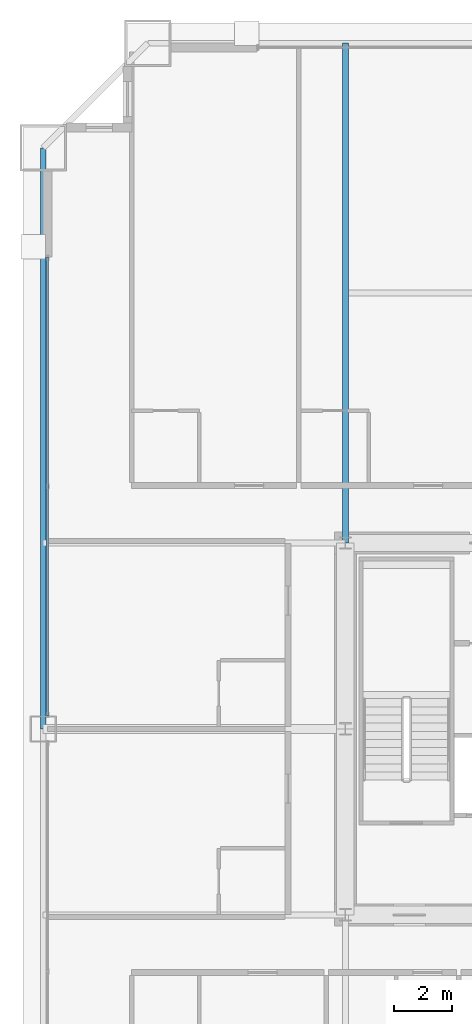
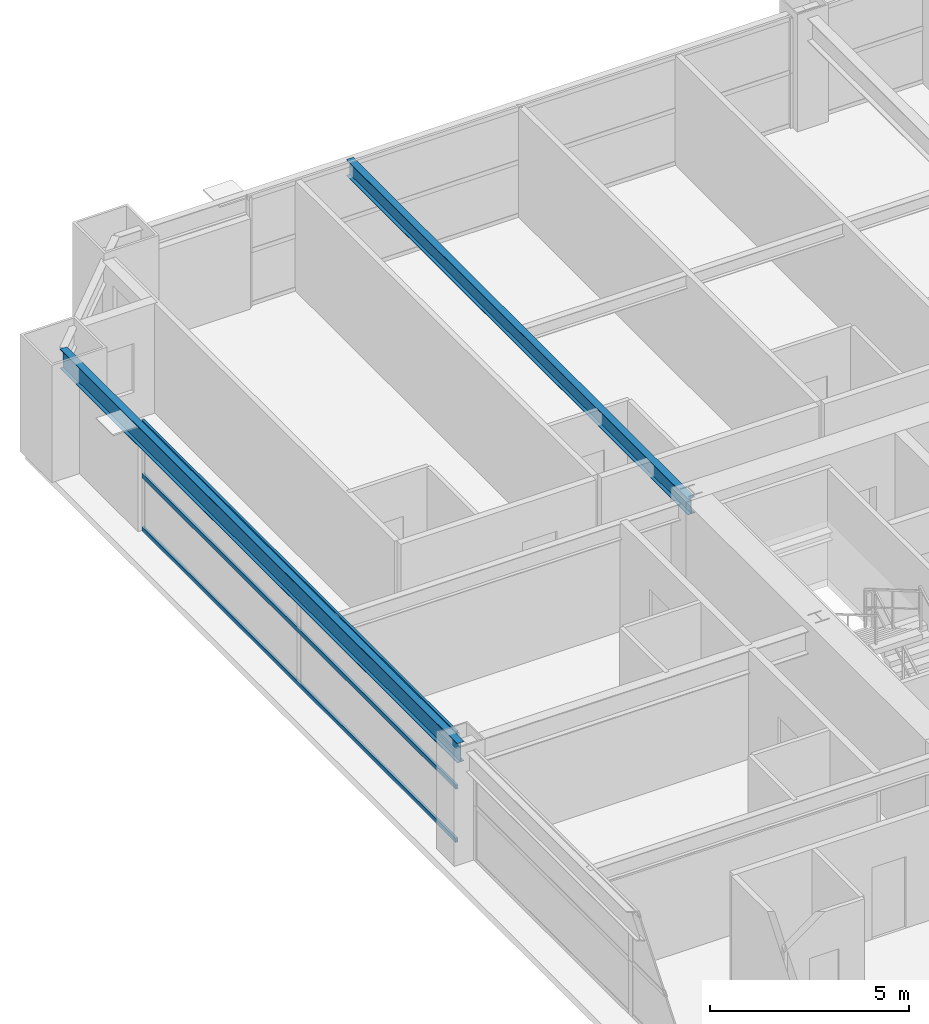
# One storey, part 21 of 38: 3 members, 2 beams, 1 element without a shape of its own.
"""IFC4 building model written with IfcOpenShell, lengths in metres."""

from ifc_helpers import new_model, si_unit, direction, frame, origin, origin_2d, place, context, subcontext, project, spatial, hollow_rectangle, i_section, extrude, source, transform, mapped, material, layer, layer_set, material_profile, profile_set, type_object, element, aggregate, save


model = new_model("IFC4")

# Units and contexts
model_context = context("Model", 3, precision=1e-05, world=origin(), true_north=direction((0.0, 1.0)))
body_context = subcontext(model_context, "Body", "Model", "MODEL_VIEW")
ifc_project = project(units=[si_unit("LENGTHUNIT", "METRE"), si_unit("AREAUNIT", "SQUARE_METRE"), si_unit("VOLUMEUNIT", "CUBIC_METRE"), si_unit("PLANEANGLEUNIT", "RADIAN"), si_unit("MASSUNIT", "GRAM", prefix="KILO"), si_unit("THERMODYNAMICTEMPERATUREUNIT", "KELVIN"), si_unit("POWERUNIT", "WATT")], contexts=[model_context])

# Site, building, storey
site_placement = place(None, origin())
site = spatial("IfcSite", under=ifc_project, at=site_placement, CompositionType="ELEMENT")
building_placement = place(site_placement, origin())
building = spatial("IfcBuilding", under=site, at=building_placement, Name="Yuzanri Waterfront Tower", CompositionType="ELEMENT")
storey_placement = place(building_placement, frame((0.0, 0.0, 90.199951171875)))
storey = spatial("IfcBuildingStorey", under=building, at=storey_placement, Name="L23", CompositionType="ELEMENT", Elevation=90.199951171875)

# Beams
ifc_material_1 = material(Name="Steel Q355B", Category="steel")
ifc_material_profile_1 = material_profile(ifc_material_1, i_section(OverallWidth=0.199951171875, OverallDepth=0.60009765625, WebThickness=0.010986328125, FlangeThickness=0.01708984375, at=origin_2d()), Name="HN 600x200x11x17")
ifc_profile_set_1 = profile_set([ifc_material_profile_1], Name="Steel Q355B")
beam_type_1 = type_object("IfcBeamType", Name="Perimeter Spandrel Q355B HN 600x200", PredefinedType="SPANDREL", material=ifc_profile_set_1)
shared_shape_1 = source(origin(), body_context, "Body", "SweptSolid", [
    extrude(i_section(OverallWidth=0.199951171875, OverallDepth=0.60009765625, WebThickness=0.010986328125, FlangeThickness=0.01708984375, at=origin_2d()), origin(), (0.0, 0.0, 1.0), 20.0),
])
beam_1_placement = place(storey_placement, frame((13.39990234375, 45.800048828125, 3.080078125), z_axis=(0.0, -1.0, 0.0), x_axis=(1.0, 0.0, 0.0)))
element("IfcBeam", 1, at=beam_1_placement, inside=storey, type_object=beam_type_1, Name="L23 Perimeter Spandrel W3-W2", PredefinedType="SPANDREL", context=body_context, shape_type="MappedRepresentation", body=[
    mapped(shared_shape_1, transform((0.0, 0.0, 0.0), scale=1.0)),
])
ifc_material_2 = material(Name="Steel Q355B", Category="steel")
ifc_material_profile_2 = material_profile(ifc_material_2, i_section(OverallWidth=0.199951171875, OverallDepth=0.5, WebThickness=0.010009765625, FlangeThickness=0.01611328125, at=origin_2d()), Name="HN 500x200x10x16")
ifc_profile_set_2 = profile_set([ifc_material_profile_2], Name="Steel Q355B")
beam_type_2 = type_object("IfcBeamType", Name="Secondary Floor Beam Q355B HN 500x200", PredefinedType="BEAM", material=ifc_profile_set_2)
shared_shape_2 = source(origin(), body_context, "Body", "SweptSolid", [
    extrude(i_section(OverallWidth=0.199951171875, OverallDepth=0.5, WebThickness=0.010009765625, FlangeThickness=0.01611328125, at=origin_2d()), origin(), (0.0, 0.0, 1.0), 17.199951171875),
])
beam_2_placement = place(storey_placement, frame((23.800048828125, 32.199951171875, 3.130126953125), z_axis=(0.0, 1.0, 0.0), x_axis=(-1.0, 0.0, 0.0)))
element("IfcBeam", 2, at=beam_2_placement, inside=storey, type_object=beam_type_2, Name="L23 North-West Core Line Beam", PredefinedType="BEAM", context=body_context, shape_type="MappedRepresentation", body=[
    mapped(shared_shape_2, transform((0.0, 0.0, 0.0), scale=1.0)),
])

# Curtain wall, members
ifc_material_3 = material(Name="Anodized Architectural Bronze", Category="metal")
ifc_layer = layer(ifc_material_3, 0.159912109375)
ifc_layer_set = layer_set([ifc_layer], Name="Anodized Architectural Bronze")
curtain_wall_type = type_object("IfcCurtainWallType", Name="Anodized Bronze Hotel Upper-Tier Solar-Control Unitized Curtain Wall 7800", PredefinedType="NOTDEFINED", material=ifc_layer_set)
curtain_wall_placement = place(storey_placement, origin())
curtain_wall = element("IfcCurtainWall", 3, at=curtain_wall_placement, inside=storey, type_object=curtain_wall_type, Name="L23 Curtain Wall CW-L23-WR", PredefinedType="NOTDEFINED")
ifc_material_4 = material(Name="Anodized Architectural Bronze", Category="metal")
ifc_material_profile_3 = material_profile(ifc_material_4, hollow_rectangle(XDim=0.070068359375, YDim=0.135009765625, WallThickness=0.00341796875, at=origin_2d()), Name="CWT 70x135")
ifc_profile_set_3 = profile_set([ifc_material_profile_3], Name="Anodized Architectural Bronze")
member_type = type_object("IfcMemberType", Name="Anodized Bronze Standard Curtain-Wall Transom 70x135", PredefinedType="USERDEFINED", material=ifc_profile_set_3)
shared_shape_3 = source(origin(), body_context, "Body", "SweptSolid", [
    extrude(hollow_rectangle(XDim=0.070068359375, YDim=0.135009765625, WallThickness=0.00341796875, at=origin_2d()), origin(), (0.0, 0.0, 1.0), 15.800048828125),
])
member_1_placement = place(storey_placement, frame((13.550048828125, 26.25, 0.050048828125), z_axis=(0.0, 1.0, 0.0), x_axis=(-1.0, 0.0, 0.0)))
member_1 = element("IfcMember", 4, at=member_1_placement, type_object=member_type, Name="CW-L23-WR Transom 1", ObjectType="TRANSOM", PredefinedType="USERDEFINED", context=body_context, shape_type="MappedRepresentation", body=[
    mapped(shared_shape_3, transform((0.0, 0.0, 0.0), scale=1.0)),
])
member_2_placement = place(storey_placement, frame((13.550048828125, 26.25, 1.68994140625), z_axis=(0.0, 1.0, 0.0), x_axis=(-1.0, 0.0, 0.0)))
member_2 = element("IfcMember", 5, at=member_2_placement, type_object=member_type, Name="CW-L23-WR Transom 2", ObjectType="TRANSOM", PredefinedType="USERDEFINED", context=body_context, shape_type="MappedRepresentation", body=[
    mapped(shared_shape_3, transform((0.0, 0.0, 0.0), scale=1.0)),
])
member_3_placement = place(storey_placement, frame((13.550048828125, 26.25, 3.330078125), z_axis=(0.0, 1.0, 0.0), x_axis=(-1.0, 0.0, 0.0)))
member_3 = element("IfcMember", 6, at=member_3_placement, type_object=member_type, Name="CW-L23-WR Transom 3", ObjectType="TRANSOM", PredefinedType="USERDEFINED", context=body_context, shape_type="MappedRepresentation", body=[
    mapped(shared_shape_3, transform((0.0, 0.0, 0.0), scale=1.0)),
])
aggregate(curtain_wall, [member_1, member_2, member_3])

save(model, "model.ifc")
